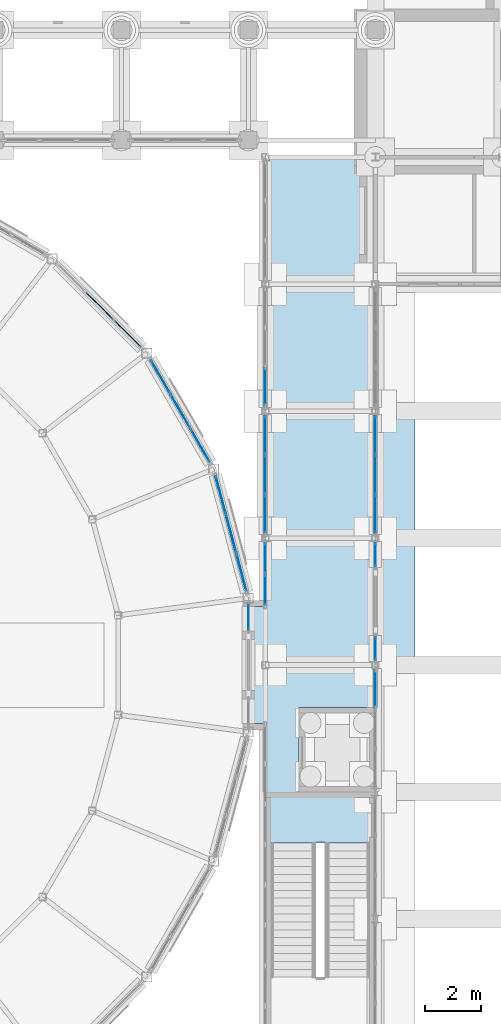
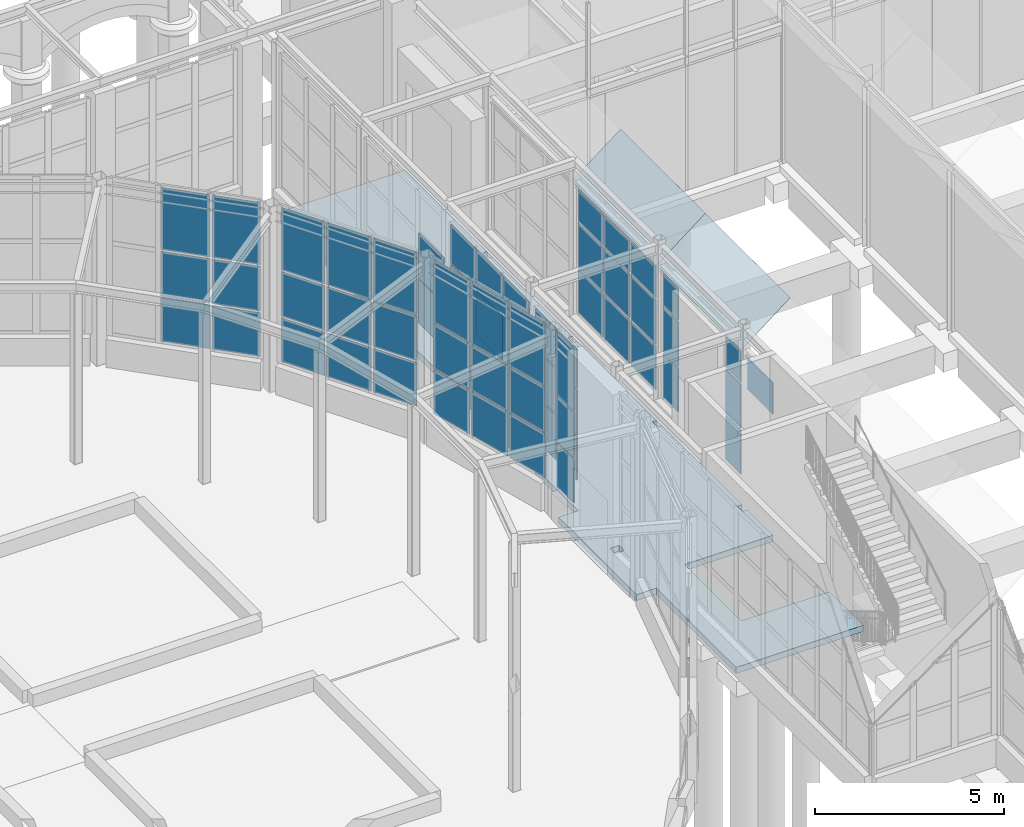
# One storey, part 63 of 106: 62 plates, 1 slab, 11 elements without a shape of their own.
"""IFC4 building model written with IfcOpenShell, lengths in metres."""

from ifc_helpers import new_model, si_unit, direction, frame, origin, origin_2d, place, context, subcontext, project, spatial, polyline, rectangle, outline, extrude, material, layer, layer_set, type_object, element, aggregate, save


model = new_model("IFC4")

# Units and contexts
model_context = context("Model", 3, precision=1e-05, world=origin(), true_north=direction((0.0, 1.0)))
body_context = subcontext(model_context, "Body", "Model", "MODEL_VIEW")
ifc_project = project(units=[si_unit("LENGTHUNIT", "METRE"), si_unit("AREAUNIT", "SQUARE_METRE"), si_unit("VOLUMEUNIT", "CUBIC_METRE"), si_unit("PLANEANGLEUNIT", "RADIAN"), si_unit("MASSUNIT", "GRAM", prefix="KILO")], contexts=[model_context])

# Site, building, storey
site_placement = place(None, origin())
site = spatial("IfcSite", under=ifc_project, at=site_placement, CompositionType="ELEMENT")
building_placement = place(site_placement, origin())
building = spatial("IfcBuilding", under=site, at=building_placement, Name="Hortulan Conservatory and Botanical Research Centre", CompositionType="ELEMENT")
storey_placement = place(building_placement, origin())
storey = spatial("IfcBuildingStorey", under=building, at=storey_placement, Name="L00", CompositionType="ELEMENT", Elevation=0.0)

# Plates
ifc_material_1 = material(Name="Low-e laminated glass", Category="glass")
ifc_layer_1 = layer(ifc_material_1, 0.011962890625)
ifc_layer_set_1 = layer_set([ifc_layer_1], Name="Glasshouse Roof Glazing Panel 12")
plate_type_1 = type_object("IfcPlateType", Name="Glasshouse Roof Glazing Panel 12", PredefinedType="SHEET", material=ifc_layer_set_1)
for number, where, z_axis, x_axis, name in (
    (1, (76.39794921875, 18.0, 5.131103515625), (-0.613967295793, 0.0, 0.789331463769), (0.789331463769, 0.0, 0.613967295793), "Glasshouse roof panel"),
    (2, (76.39794921875, 22.5, 5.131103515625), (-0.613967295793, 0.0, 0.789331463769), (0.789331463769, 0.0, 0.613967295793), "Glasshouse roof panel"),
):
    element("IfcPlate", number, at=place(storey_placement, frame(where, z_axis=z_axis, x_axis=x_axis)), inside=storey, type_object=plate_type_1, Name=name, PredefinedType="SHEET", context=body_context, shape_type="SweptSolid", body=[
        extrude(outline(polyline([(0.0, 0.0), (1.9003423388659808, 0.0), (1.9003423388659808, 4.5), (0.0, 4.5), (0.0, 0.0)])), origin(), (0.0, 0.0, -1.0), 0.011962890625),
    ])

# Slab
ifc_material_2 = material(Name="Concrete N40 (40 MPa, AS 3600)", Category="concrete")
ifc_layer_2 = layer(ifc_material_2, 0.199951171875)
ifc_layer_set_2 = layer_set([ifc_layer_2], Name="Head Link Ground Slab 200")
slab_type = type_object("IfcSlabType", Name="Head Link Ground Slab 200", PredefinedType="BASESLAB", material=ifc_layer_set_2)
slab_placement = place(storey_placement, frame((0.0, 0.0, -0.199951171875)))
element("IfcSlab", 3, at=slab_placement, inside=storey, type_object=slab_type, Name="HE ground slab 1", PredefinedType="BASESLAB", context=body_context, shape_type="SweptSolid", body=[
    extrude(outline(polyline([(72.60009765625, 20.069580078125), (72.60009765625, 22.364990234375), (72.735107421875, 22.364990234375), (72.735107421875, 22.635009765625), (72.60009765625, 22.635009765625), (72.60009765625, 26.864990234375), (72.735107421875, 26.864990234375), (72.735107421875, 27.135009765625), (72.60009765625, 27.135009765625), (72.60009765625, 31.364990234375), (72.735107421875, 31.364990234375), (72.735107421875, 31.635009765625), (72.60009765625, 31.635009765625), (72.60009765625, 35.864990234375), (72.735107421875, 35.864990234375), (72.735107421875, 36.0), (76.5, 36.0), (76.5, 31.635009765625), (76.364990234375, 31.635009765625), (76.364990234375, 31.364990234375), (76.5, 31.364990234375), (76.5, 27.135009765625), (76.364990234375, 27.135009765625), (76.364990234375, 26.864990234375), (76.5, 26.864990234375), (76.5, 22.635009765625), (76.364990234375, 22.635009765625), (76.364990234375, 22.364990234375), (76.5, 22.364990234375), (76.5, 18.135009765625), (76.364990234375, 18.135009765625), (76.364990234375, 17.864990234375), (76.5, 17.864990234375), (76.5, 16.5), (73.800048828125, 16.5), (73.800048828125, 13.5), (76.5, 13.5), (76.5, 11.699951171875), (72.60009765625, 11.699951171875), (72.60009765625, 15.930419921875), (72.0, 15.930419921875), (72.0, 20.069580078125), (72.60009765625, 20.069580078125)]), holes=[polyline([(72.465087890625, 18.135009765625), (72.465087890625, 17.864990234375), (72.735107421875, 17.864990234375), (72.735107421875, 18.135009765625), (72.465087890625, 18.135009765625)])]), origin(), (0.0, 0.0, 1.0), 0.199951171875),
])

# Curtain wall, plates
ifc_material_3 = material(Name="Bronze-finished aluminium", Category="aluminium")
ifc_layer_3 = layer(ifc_material_3, 0.10009765625)
ifc_layer_set_3 = layer_set([ifc_layer_3], Name="Bronze-framed Curtain Wall 1500 module")
curtain_wall_type = type_object("IfcCurtainWallType", Name="Bronze-framed Curtain Wall 1500 module", PredefinedType="NOTDEFINED", material=ifc_layer_set_3)
curtain_wall_1_placement = place(storey_placement, origin())
curtain_wall_1 = element("IfcCurtainWall", 4, at=curtain_wall_1_placement, inside=storey, type_object=curtain_wall_type, Name="Curtain wall", PredefinedType="NOTDEFINED")
ifc_layer_4 = layer(ifc_material_1, 0.028076171875)
ifc_layer_set_4 = layer_set([ifc_layer_4], Name="Laminated Glass Panel 28")
plate_type_2 = type_object("IfcPlateType", Name="Laminated Glass Panel 28", PredefinedType="CURTAIN_PANEL", material=ifc_layer_set_4)
plate_1_placement = place(storey_placement, frame((71.0185546875, 24.032470703125, 0.9599609375), z_axis=(0.0, 0.0, 1.0), x_axis=(0.258831936284, -0.965922372015, 0.0)))
plate_1 = element("IfcPlate", 5, at=plate_1_placement, type_object=plate_type_2, Name="CW1 panel 1.1", PredefinedType="CURTAIN_PANEL", context=body_context, shape_type="SweptSolid", body=[
    extrude(rectangle(XDim=1.346923828125, YDim=0.028076171875, at=origin_2d()), origin(), (0.0, 0.0, 1.0), 1.409912109375),
])
plate_2_placement = place(storey_placement, frame((71.0185546875, 24.032470703125, 2.429931640625), z_axis=(0.0, 0.0, 1.0), x_axis=(0.258831936284, -0.965922372015, 0.0)))
plate_2 = element("IfcPlate", 6, at=plate_2_placement, type_object=plate_type_2, Name="CW1 panel 1.2", PredefinedType="CURTAIN_PANEL", context=body_context, shape_type="SweptSolid", body=[
    extrude(rectangle(XDim=1.346923828125, YDim=0.028076171875, at=origin_2d()), origin(), (0.0, 0.0, 1.0), 1.43994140625),
])
plate_3_placement = place(storey_placement, frame((71.0185546875, 24.032470703125, 3.93017578125), z_axis=(0.0, 0.0, 1.0), x_axis=(0.258831936284, -0.965922372015, 0.0)))
plate_3 = element("IfcPlate", 7, at=plate_3_placement, type_object=plate_type_2, Name="CW1 panel 1.3", PredefinedType="CURTAIN_PANEL", context=body_context, shape_type="SweptSolid", body=[
    extrude(rectangle(XDim=1.346923828125, YDim=0.028076171875, at=origin_2d()), origin(), (0.0, 0.0, 1.0), 2.010009765625),
])
plate_4_placement = place(storey_placement, frame((71.38671875, 22.658935546875, 0.9599609375), z_axis=(0.0, 0.0, 1.0), x_axis=(0.258831936284, -0.965922372015, 0.0)))
plate_4 = element("IfcPlate", 8, at=plate_4_placement, type_object=plate_type_2, Name="CW1 panel 2.1", PredefinedType="CURTAIN_PANEL", context=body_context, shape_type="SweptSolid", body=[
    extrude(rectangle(XDim=1.376953125, YDim=0.028076171875, at=origin_2d()), origin(), (0.0, 0.0, 1.0), 1.409912109375),
])
plate_5_placement = place(storey_placement, frame((71.38671875, 22.658935546875, 2.429931640625), z_axis=(0.0, 0.0, 1.0), x_axis=(0.258831936284, -0.965922372015, 0.0)))
plate_5 = element("IfcPlate", 9, at=plate_5_placement, type_object=plate_type_2, Name="CW1 panel 2.2", PredefinedType="CURTAIN_PANEL", context=body_context, shape_type="SweptSolid", body=[
    extrude(rectangle(XDim=1.376953125, YDim=0.028076171875, at=origin_2d()), origin(), (0.0, 0.0, 1.0), 1.43994140625),
])
plate_6_placement = place(storey_placement, frame((71.38671875, 22.658935546875, 3.93017578125), z_axis=(0.0, 0.0, 1.0), x_axis=(0.258831936284, -0.965922372015, 0.0)))
plate_6 = element("IfcPlate", 10, at=plate_6_placement, type_object=plate_type_2, Name="CW1 panel 2.3", PredefinedType="CURTAIN_PANEL", context=body_context, shape_type="SweptSolid", body=[
    extrude(rectangle(XDim=1.376953125, YDim=0.028076171875, at=origin_2d()), origin(), (0.0, 0.0, 1.0), 2.010009765625),
])
plate_7_placement = place(storey_placement, frame((71.754638671875, 21.285400390625, 0.9599609375), z_axis=(0.0, 0.0, 1.0), x_axis=(0.258831936284, -0.965922372015, 0.0)))
plate_7 = element("IfcPlate", 11, at=plate_7_placement, type_object=plate_type_2, Name="CW1 panel 3.1", PredefinedType="CURTAIN_PANEL", context=body_context, shape_type="SweptSolid", body=[
    extrude(rectangle(XDim=1.346923828125, YDim=0.028076171875, at=origin_2d()), origin(), (0.0, 0.0, 1.0), 1.409912109375),
])
plate_8_placement = place(storey_placement, frame((71.754638671875, 21.285400390625, 2.429931640625), z_axis=(0.0, 0.0, 1.0), x_axis=(0.258831936284, -0.965922372015, 0.0)))
plate_8 = element("IfcPlate", 12, at=plate_8_placement, type_object=plate_type_2, Name="CW1 panel 3.2", PredefinedType="CURTAIN_PANEL", context=body_context, shape_type="SweptSolid", body=[
    extrude(rectangle(XDim=1.346923828125, YDim=0.028076171875, at=origin_2d()), origin(), (0.0, 0.0, 1.0), 1.43994140625),
])
plate_9_placement = place(storey_placement, frame((71.754638671875, 21.285400390625, 3.93017578125), z_axis=(0.0, 0.0, 1.0), x_axis=(0.258831936284, -0.965922372015, 0.0)))
plate_9 = element("IfcPlate", 13, at=plate_9_placement, type_object=plate_type_2, Name="CW1 panel 3.3", PredefinedType="CURTAIN_PANEL", context=body_context, shape_type="SweptSolid", body=[
    extrude(rectangle(XDim=1.346923828125, YDim=0.028076171875, at=origin_2d()), origin(), (0.0, 0.0, 1.0), 2.010009765625),
])
aggregate(curtain_wall_1, [plate_1, plate_2, plate_3, plate_4, plate_5, plate_6, plate_7, plate_8, plate_9])

curtain_wall_2_placement = place(storey_placement, origin())
curtain_wall_2 = element("IfcCurtainWall", 14, at=curtain_wall_2_placement, inside=storey, type_object=curtain_wall_type, Name="Curtain wall", PredefinedType="NOTDEFINED")
plate_10_placement = place(storey_placement, frame((68.885986328125, 28.217041015625, 0.9599609375), z_axis=(0.0, 0.0, 1.0), x_axis=(0.499981160235, -0.866036280655, 0.0)))
plate_10 = element("IfcPlate", 15, at=plate_10_placement, type_object=plate_type_2, Name="CW1 panel 1.1", PredefinedType="CURTAIN_PANEL", context=body_context, shape_type="SweptSolid", body=[
    extrude(rectangle(XDim=1.330078125, YDim=0.028076171875, at=origin_2d()), origin(), (0.0, 0.0, 1.0), 1.409912109375),
])
plate_11_placement = place(storey_placement, frame((68.885986328125, 28.217041015625, 2.429931640625), z_axis=(0.0, 0.0, 1.0), x_axis=(0.499981160235, -0.866036280655, 0.0)))
plate_11 = element("IfcPlate", 16, at=plate_11_placement, type_object=plate_type_2, Name="CW1 panel 1.2", PredefinedType="CURTAIN_PANEL", context=body_context, shape_type="SweptSolid", body=[
    extrude(rectangle(XDim=1.330078125, YDim=0.028076171875, at=origin_2d()), origin(), (0.0, 0.0, 1.0), 1.43994140625),
])
plate_12_placement = place(storey_placement, frame((68.885986328125, 28.217041015625, 3.93017578125), z_axis=(0.0, 0.0, 1.0), x_axis=(0.499981160235, -0.866036280655, 0.0)))
plate_12 = element("IfcPlate", 17, at=plate_12_placement, type_object=plate_type_2, Name="CW1 panel 1.3", PredefinedType="CURTAIN_PANEL", context=body_context, shape_type="SweptSolid", body=[
    extrude(rectangle(XDim=1.330078125, YDim=0.028076171875, at=origin_2d()), origin(), (0.0, 0.0, 1.0), 2.010009765625),
])
plate_13_placement = place(storey_placement, frame((69.58837890625, 27.0, 0.9599609375), z_axis=(0.0, 0.0, 1.0), x_axis=(0.499981160235, -0.866036280655, 0.0)))
plate_13 = element("IfcPlate", 18, at=plate_13_placement, type_object=plate_type_2, Name="CW1 panel 2.1", PredefinedType="CURTAIN_PANEL", context=body_context, shape_type="SweptSolid", body=[
    extrude(rectangle(XDim=1.360107421875, YDim=0.028076171875, at=origin_2d()), origin(), (0.0, 0.0, 1.0), 1.409912109375),
])
plate_14_placement = place(storey_placement, frame((69.58837890625, 27.0, 2.429931640625), z_axis=(0.0, 0.0, 1.0), x_axis=(0.499981160235, -0.866036280655, 0.0)))
plate_14 = element("IfcPlate", 19, at=plate_14_placement, type_object=plate_type_2, Name="CW1 panel 2.2", PredefinedType="CURTAIN_PANEL", context=body_context, shape_type="SweptSolid", body=[
    extrude(rectangle(XDim=1.360107421875, YDim=0.028076171875, at=origin_2d()), origin(), (0.0, 0.0, 1.0), 1.43994140625),
])
plate_15_placement = place(storey_placement, frame((69.58837890625, 27.0, 3.93017578125), z_axis=(0.0, 0.0, 1.0), x_axis=(0.499981160235, -0.866036280655, 0.0)))
plate_15 = element("IfcPlate", 20, at=plate_15_placement, type_object=plate_type_2, Name="CW1 panel 2.3", PredefinedType="CURTAIN_PANEL", context=body_context, shape_type="SweptSolid", body=[
    extrude(rectangle(XDim=1.360107421875, YDim=0.028076171875, at=origin_2d()), origin(), (0.0, 0.0, 1.0), 2.010009765625),
])
plate_16_placement = place(storey_placement, frame((70.291015625, 25.782958984375, 0.9599609375), z_axis=(0.0, 0.0, 1.0), x_axis=(0.499981160235, -0.866036280655, 0.0)))
plate_16 = element("IfcPlate", 21, at=plate_16_placement, type_object=plate_type_2, Name="CW1 panel 3.1", PredefinedType="CURTAIN_PANEL", context=body_context, shape_type="SweptSolid", body=[
    extrude(rectangle(XDim=1.330078125, YDim=0.028076171875, at=origin_2d()), origin(), (0.0, 0.0, 1.0), 1.409912109375),
])
plate_17_placement = place(storey_placement, frame((70.291015625, 25.782958984375, 2.429931640625), z_axis=(0.0, 0.0, 1.0), x_axis=(0.499981160235, -0.866036280655, 0.0)))
plate_17 = element("IfcPlate", 22, at=plate_17_placement, type_object=plate_type_2, Name="CW1 panel 3.2", PredefinedType="CURTAIN_PANEL", context=body_context, shape_type="SweptSolid", body=[
    extrude(rectangle(XDim=1.330078125, YDim=0.028076171875, at=origin_2d()), origin(), (0.0, 0.0, 1.0), 1.43994140625),
])
plate_18_placement = place(storey_placement, frame((70.291015625, 25.782958984375, 3.93017578125), z_axis=(0.0, 0.0, 1.0), x_axis=(0.499981160235, -0.866036280655, 0.0)))
plate_18 = element("IfcPlate", 23, at=plate_18_placement, type_object=plate_type_2, Name="CW1 panel 3.3", PredefinedType="CURTAIN_PANEL", context=body_context, shape_type="SweptSolid", body=[
    extrude(rectangle(XDim=1.330078125, YDim=0.028076171875, at=origin_2d()), origin(), (0.0, 0.0, 1.0), 2.010009765625),
])
aggregate(curtain_wall_2, [plate_10, plate_11, plate_12, plate_13, plate_14, plate_15, plate_16, plate_17, plate_18])

curtain_wall_3_placement = place(storey_placement, origin())
curtain_wall_3 = element("IfcCurtainWall", 24, at=curtain_wall_3_placement, inside=storey, type_object=curtain_wall_type, Name="Curtain wall", PredefinedType="NOTDEFINED")
plate_19_placement = place(storey_placement, frame((66.72802734375, 30.72802734375, 0.9599609375), z_axis=(0.0, 0.0, 1.0), x_axis=(0.707106781187, -0.707106781187, 0.0)))
plate_19 = element("IfcPlate", 25, at=plate_19_placement, type_object=plate_type_2, Name="CW1 panel 2.1", PredefinedType="CURTAIN_PANEL", context=body_context, shape_type="SweptSolid", body=[
    extrude(rectangle(XDim=1.355224609375, YDim=0.028076171875, at=origin_2d()), origin(), (0.0, 0.0, 1.0), 1.409912109375),
])
plate_20_placement = place(storey_placement, frame((66.72802734375, 30.72802734375, 2.429931640625), z_axis=(0.0, 0.0, 1.0), x_axis=(0.707106781187, -0.707106781187, 0.0)))
plate_20 = element("IfcPlate", 26, at=plate_20_placement, type_object=plate_type_2, Name="CW1 panel 2.2", PredefinedType="CURTAIN_PANEL", context=body_context, shape_type="SweptSolid", body=[
    extrude(rectangle(XDim=1.355224609375, YDim=0.028076171875, at=origin_2d()), origin(), (0.0, 0.0, 1.0), 1.43994140625),
])
plate_21_placement = place(storey_placement, frame((66.72802734375, 30.72802734375, 3.93017578125), z_axis=(0.0, 0.0, 1.0), x_axis=(0.707106781187, -0.707106781187, 0.0)))
plate_21 = element("IfcPlate", 27, at=plate_21_placement, type_object=plate_type_2, Name="CW1 panel 2.3", PredefinedType="CURTAIN_PANEL", context=body_context, shape_type="SweptSolid", body=[
    extrude(rectangle(XDim=1.355224609375, YDim=0.028076171875, at=origin_2d()), origin(), (0.0, 0.0, 1.0), 2.010009765625),
])
plate_22_placement = place(storey_placement, frame((67.718017578125, 29.738037109375, 0.9599609375), z_axis=(0.0, 0.0, 1.0), x_axis=(0.707106781187, -0.707106781187, 0.0)))
plate_22 = element("IfcPlate", 28, at=plate_22_placement, type_object=plate_type_2, Name="CW1 panel 3.1", PredefinedType="CURTAIN_PANEL", context=body_context, shape_type="SweptSolid", body=[
    extrude(rectangle(XDim=1.3251953125, YDim=0.028076171875, at=origin_2d()), origin(), (0.0, 0.0, 1.0), 1.409912109375),
])
plate_23_placement = place(storey_placement, frame((67.718017578125, 29.738037109375, 2.429931640625), z_axis=(0.0, 0.0, 1.0), x_axis=(0.707106781187, -0.707106781187, 0.0)))
plate_23 = element("IfcPlate", 29, at=plate_23_placement, type_object=plate_type_2, Name="CW1 panel 3.2", PredefinedType="CURTAIN_PANEL", context=body_context, shape_type="SweptSolid", body=[
    extrude(rectangle(XDim=1.3251953125, YDim=0.028076171875, at=origin_2d()), origin(), (0.0, 0.0, 1.0), 1.43994140625),
])
plate_24_placement = place(storey_placement, frame((67.718017578125, 29.738037109375, 3.93017578125), z_axis=(0.0, 0.0, 1.0), x_axis=(0.707106781187, -0.707106781187, 0.0)))
plate_24 = element("IfcPlate", 30, at=plate_24_placement, type_object=plate_type_2, Name="CW1 panel 3.3", PredefinedType="CURTAIN_PANEL", context=body_context, shape_type="SweptSolid", body=[
    extrude(rectangle(XDim=1.3251953125, YDim=0.028076171875, at=origin_2d()), origin(), (0.0, 0.0, 1.0), 2.010009765625),
])
aggregate(curtain_wall_3, [plate_19, plate_20, plate_21, plate_22, plate_23, plate_24])

curtain_wall_4_placement = place(storey_placement, origin())
curtain_wall_4 = element("IfcCurtainWall", 31, at=curtain_wall_4_placement, inside=storey, type_object=curtain_wall_type, Name="Curtain wall", PredefinedType="NOTDEFINED")
plate_25_placement = place(storey_placement, frame((72.0, 19.697509765625, 0.9599609375), z_axis=(0.0, 0.0, 1.0), x_axis=(0.0, -1.0, 0.0)))
plate_25 = element("IfcPlate", 32, at=plate_25_placement, type_object=plate_type_2, Name="CW1 panel 1.1", PredefinedType="CURTAIN_PANEL", context=body_context, shape_type="SweptSolid", body=[
    extrude(rectangle(XDim=0.875, YDim=0.028076171875, at=origin_2d()), origin(), (0.0, 0.0, 1.0), 1.409912109375),
])
plate_26_placement = place(storey_placement, frame((72.0, 19.697509765625, 2.429931640625), z_axis=(0.0, 0.0, 1.0), x_axis=(0.0, -1.0, 0.0)))
plate_26 = element("IfcPlate", 33, at=plate_26_placement, type_object=plate_type_2, Name="CW1 panel 1.2", PredefinedType="CURTAIN_PANEL", context=body_context, shape_type="SweptSolid", body=[
    extrude(rectangle(XDim=0.875, YDim=0.028076171875, at=origin_2d()), origin(), (0.0, 0.0, 1.0), 1.43994140625),
])
plate_27_placement = place(storey_placement, frame((72.0, 19.697509765625, 3.93017578125), z_axis=(0.0, 0.0, 1.0), x_axis=(0.0, -1.0, 0.0)))
plate_27 = element("IfcPlate", 34, at=plate_27_placement, type_object=plate_type_2, Name="CW1 panel 1.3", PredefinedType="CURTAIN_PANEL", context=body_context, shape_type="SweptSolid", body=[
    extrude(rectangle(XDim=0.875, YDim=0.028076171875, at=origin_2d()), origin(), (0.0, 0.0, 1.0), 2.010009765625),
])
aggregate(curtain_wall_4, [plate_25, plate_26, plate_27])

curtain_wall_5_placement = place(storey_placement, origin())
curtain_wall_5 = element("IfcCurtainWall", 35, at=curtain_wall_5_placement, inside=storey, type_object=curtain_wall_type, Name="Curtain wall", PredefinedType="NOTDEFINED")
plate_28_placement = place(storey_placement, frame((72.60009765625, 20.6611328125, 0.9599609375), z_axis=(0.0, 0.0, 1.0), x_axis=(0.0, 1.0, 0.0)))
plate_28 = element("IfcPlate", 36, at=plate_28_placement, type_object=plate_type_2, Name="CW1 panel 1.1", PredefinedType="CURTAIN_PANEL", context=body_context, shape_type="SweptSolid", body=[
    extrude(rectangle(XDim=1.062744140625, YDim=0.028076171875, at=origin_2d()), origin(), (0.0, 0.0, 1.0), 1.409912109375),
])
plate_29_placement = place(storey_placement, frame((72.60009765625, 20.6611328125, 2.429931640625), z_axis=(0.0, 0.0, 1.0), x_axis=(0.0, 1.0, 0.0)))
plate_29 = element("IfcPlate", 37, at=plate_29_placement, type_object=plate_type_2, Name="CW1 panel 1.2", PredefinedType="CURTAIN_PANEL", context=body_context, shape_type="SweptSolid", body=[
    extrude(rectangle(XDim=1.062744140625, YDim=0.028076171875, at=origin_2d()), origin(), (0.0, 0.0, 1.0), 1.43994140625),
])
plate_30_placement = place(storey_placement, frame((72.60009765625, 20.6611328125, 3.929931640625), z_axis=(0.0, 0.0, 1.0), x_axis=(0.0, 1.0, 0.0)))
plate_30 = element("IfcPlate", 38, at=plate_30_placement, type_object=plate_type_2, Name="CW1 panel 1.3", PredefinedType="CURTAIN_PANEL", context=body_context, shape_type="SweptSolid", body=[
    extrude(rectangle(XDim=1.062744140625, YDim=0.028076171875, at=origin_2d()), origin(), (0.0, 0.0, 1.0), 1.25),
])
plate_31_placement = place(storey_placement, frame((72.60009765625, 21.78369140625, 0.9599609375), z_axis=(0.0, 0.0, 1.0), x_axis=(0.0, 1.0, 0.0)))
plate_31 = element("IfcPlate", 39, at=plate_31_placement, type_object=plate_type_2, Name="CW1 panel 2.1", PredefinedType="CURTAIN_PANEL", context=body_context, shape_type="SweptSolid", body=[
    extrude(rectangle(XDim=1.062744140625, YDim=0.028076171875, at=origin_2d()), origin(), (0.0, 0.0, 1.0), 1.409912109375),
])
plate_32_placement = place(storey_placement, frame((72.60009765625, 21.78369140625, 2.429931640625), z_axis=(0.0, 0.0, 1.0), x_axis=(0.0, 1.0, 0.0)))
plate_32 = element("IfcPlate", 40, at=plate_32_placement, type_object=plate_type_2, Name="CW1 panel 2.2", PredefinedType="CURTAIN_PANEL", context=body_context, shape_type="SweptSolid", body=[
    extrude(rectangle(XDim=1.062744140625, YDim=0.028076171875, at=origin_2d()), origin(), (0.0, 0.0, 1.0), 1.43994140625),
])
plate_33_placement = place(storey_placement, frame((72.60009765625, 21.78369140625, 3.929931640625), z_axis=(0.0, 0.0, 1.0), x_axis=(0.0, 1.0, 0.0)))
plate_33 = element("IfcPlate", 41, at=plate_33_placement, type_object=plate_type_2, Name="CW1 panel 2.3", PredefinedType="CURTAIN_PANEL", context=body_context, shape_type="SweptSolid", body=[
    extrude(rectangle(XDim=1.062744140625, YDim=0.028076171875, at=origin_2d()), origin(), (0.0, 0.0, 1.0), 1.25),
])
aggregate(curtain_wall_5, [plate_28, plate_29, plate_30, plate_31, plate_32, plate_33])

curtain_wall_6_placement = place(storey_placement, origin())
curtain_wall_6 = element("IfcCurtainWall", 42, at=curtain_wall_6_placement, inside=storey, type_object=curtain_wall_type, Name="Curtain wall", PredefinedType="NOTDEFINED")
plate_34_placement = place(storey_placement, frame((72.60009765625, 23.348388671875, 0.9599609375), z_axis=(0.0, 0.0, 1.0), x_axis=(0.0, 1.0, 0.0)))
plate_34 = element("IfcPlate", 43, at=plate_34_placement, type_object=plate_type_2, Name="CW1 panel 1.1", PredefinedType="CURTAIN_PANEL", context=body_context, shape_type="SweptSolid", body=[
    extrude(rectangle(XDim=1.32666015625, YDim=0.028076171875, at=origin_2d()), origin(), (0.0, 0.0, 1.0), 1.409912109375),
])
plate_35_placement = place(storey_placement, frame((72.60009765625, 23.348388671875, 2.429931640625), z_axis=(0.0, 0.0, 1.0), x_axis=(0.0, 1.0, 0.0)))
plate_35 = element("IfcPlate", 44, at=plate_35_placement, type_object=plate_type_2, Name="CW1 panel 1.2", PredefinedType="CURTAIN_PANEL", context=body_context, shape_type="SweptSolid", body=[
    extrude(rectangle(XDim=1.32666015625, YDim=0.028076171875, at=origin_2d()), origin(), (0.0, 0.0, 1.0), 1.43994140625),
])
plate_36_placement = place(storey_placement, frame((72.60009765625, 23.348388671875, 3.929931640625), z_axis=(0.0, 0.0, 1.0), x_axis=(0.0, 1.0, 0.0)))
plate_36 = element("IfcPlate", 45, at=plate_36_placement, type_object=plate_type_2, Name="CW1 panel 1.3", PredefinedType="CURTAIN_PANEL", context=body_context, shape_type="SweptSolid", body=[
    extrude(rectangle(XDim=1.32666015625, YDim=0.028076171875, at=origin_2d()), origin(), (0.0, 0.0, 1.0), 1.25),
])
plate_37_placement = place(storey_placement, frame((72.60009765625, 24.75, 0.9599609375), z_axis=(0.0, 0.0, 1.0), x_axis=(0.0, 1.0, 0.0)))
plate_37 = element("IfcPlate", 46, at=plate_37_placement, type_object=plate_type_2, Name="CW1 panel 2.1", PredefinedType="CURTAIN_PANEL", context=body_context, shape_type="SweptSolid", body=[
    extrude(rectangle(XDim=1.356689453125, YDim=0.028076171875, at=origin_2d()), origin(), (0.0, 0.0, 1.0), 1.409912109375),
])
plate_38_placement = place(storey_placement, frame((72.60009765625, 24.75, 2.429931640625), z_axis=(0.0, 0.0, 1.0), x_axis=(0.0, 1.0, 0.0)))
plate_38 = element("IfcPlate", 47, at=plate_38_placement, type_object=plate_type_2, Name="CW1 panel 2.2", PredefinedType="CURTAIN_PANEL", context=body_context, shape_type="SweptSolid", body=[
    extrude(rectangle(XDim=1.356689453125, YDim=0.028076171875, at=origin_2d()), origin(), (0.0, 0.0, 1.0), 1.43994140625),
])
plate_39_placement = place(storey_placement, frame((72.60009765625, 24.75, 3.929931640625), z_axis=(0.0, 0.0, 1.0), x_axis=(0.0, 1.0, 0.0)))
plate_39 = element("IfcPlate", 48, at=plate_39_placement, type_object=plate_type_2, Name="CW1 panel 2.3", PredefinedType="CURTAIN_PANEL", context=body_context, shape_type="SweptSolid", body=[
    extrude(rectangle(XDim=1.356689453125, YDim=0.028076171875, at=origin_2d()), origin(), (0.0, 0.0, 1.0), 1.25),
])
plate_40_placement = place(storey_placement, frame((72.60009765625, 26.151611328125, 0.9599609375), z_axis=(0.0, 0.0, 1.0), x_axis=(0.0, 1.0, 0.0)))
plate_40 = element("IfcPlate", 49, at=plate_40_placement, type_object=plate_type_2, Name="CW1 panel 3.1", PredefinedType="CURTAIN_PANEL", context=body_context, shape_type="SweptSolid", body=[
    extrude(rectangle(XDim=1.32666015625, YDim=0.028076171875, at=origin_2d()), origin(), (0.0, 0.0, 1.0), 1.409912109375),
])
plate_41_placement = place(storey_placement, frame((72.60009765625, 26.151611328125, 2.429931640625), z_axis=(0.0, 0.0, 1.0), x_axis=(0.0, 1.0, 0.0)))
plate_41 = element("IfcPlate", 50, at=plate_41_placement, type_object=plate_type_2, Name="CW1 panel 3.2", PredefinedType="CURTAIN_PANEL", context=body_context, shape_type="SweptSolid", body=[
    extrude(rectangle(XDim=1.32666015625, YDim=0.028076171875, at=origin_2d()), origin(), (0.0, 0.0, 1.0), 1.43994140625),
])
plate_42_placement = place(storey_placement, frame((72.60009765625, 26.151611328125, 3.929931640625), z_axis=(0.0, 0.0, 1.0), x_axis=(0.0, 1.0, 0.0)))
plate_42 = element("IfcPlate", 51, at=plate_42_placement, type_object=plate_type_2, Name="CW1 panel 3.3", PredefinedType="CURTAIN_PANEL", context=body_context, shape_type="SweptSolid", body=[
    extrude(rectangle(XDim=1.32666015625, YDim=0.028076171875, at=origin_2d()), origin(), (0.0, 0.0, 1.0), 1.25),
])
aggregate(curtain_wall_6, [plate_34, plate_35, plate_36, plate_37, plate_38, plate_39, plate_40, plate_41, plate_42])

curtain_wall_7_placement = place(storey_placement, origin())
curtain_wall_7 = element("IfcCurtainWall", 52, at=curtain_wall_7_placement, inside=storey, type_object=curtain_wall_type, Name="Curtain wall", PredefinedType="NOTDEFINED")
plate_43_placement = place(storey_placement, frame((72.60009765625, 27.848388671875, 0.9599609375), z_axis=(0.0, 0.0, 1.0), x_axis=(0.0, 1.0, 0.0)))
plate_43 = element("IfcPlate", 53, at=plate_43_placement, type_object=plate_type_2, Name="CW1 panel 1.1", PredefinedType="CURTAIN_PANEL", context=body_context, shape_type="SweptSolid", body=[
    extrude(rectangle(XDim=1.32666015625, YDim=0.028076171875, at=origin_2d()), origin(), (0.0, 0.0, 1.0), 1.409912109375),
])
plate_44_placement = place(storey_placement, frame((72.60009765625, 27.848388671875, 2.429931640625), z_axis=(0.0, 0.0, 1.0), x_axis=(0.0, 1.0, 0.0)))
plate_44 = element("IfcPlate", 54, at=plate_44_placement, type_object=plate_type_2, Name="CW1 panel 1.2", PredefinedType="CURTAIN_PANEL", context=body_context, shape_type="SweptSolid", body=[
    extrude(rectangle(XDim=1.32666015625, YDim=0.028076171875, at=origin_2d()), origin(), (0.0, 0.0, 1.0), 1.43994140625),
])
aggregate(curtain_wall_7, [plate_43, plate_44])

curtain_wall_8_placement = place(storey_placement, origin())
curtain_wall_8 = element("IfcCurtainWall", 55, at=curtain_wall_8_placement, inside=storey, type_object=curtain_wall_type, Name="Curtain wall", PredefinedType="NOTDEFINED")
plate_45_placement = place(storey_placement, frame((76.5, 26.151611328125, 0.9599609375), z_axis=(0.0, 0.0, 1.0), x_axis=(0.0, -1.0, 0.0)))
plate_45 = element("IfcPlate", 56, at=plate_45_placement, type_object=plate_type_2, Name="CW1 panel 1.1", PredefinedType="CURTAIN_PANEL", context=body_context, shape_type="SweptSolid", body=[
    extrude(rectangle(XDim=1.32666015625, YDim=0.028076171875, at=origin_2d()), origin(), (0.0, 0.0, 1.0), 1.409912109375),
])
plate_46_placement = place(storey_placement, frame((76.5, 26.151611328125, 2.429931640625), z_axis=(0.0, 0.0, 1.0), x_axis=(0.0, -1.0, 0.0)))
plate_46 = element("IfcPlate", 57, at=plate_46_placement, type_object=plate_type_2, Name="CW1 panel 1.2", PredefinedType="CURTAIN_PANEL", context=body_context, shape_type="SweptSolid", body=[
    extrude(rectangle(XDim=1.32666015625, YDim=0.028076171875, at=origin_2d()), origin(), (0.0, 0.0, 1.0), 1.43994140625),
])
plate_47_placement = place(storey_placement, frame((76.5, 26.151611328125, 3.93017578125), z_axis=(0.0, 0.0, 1.0), x_axis=(0.0, -1.0, 0.0)))
plate_47 = element("IfcPlate", 58, at=plate_47_placement, type_object=plate_type_2, Name="CW1 panel 1.3", PredefinedType="CURTAIN_PANEL", context=body_context, shape_type="SweptSolid", body=[
    extrude(rectangle(XDim=1.32666015625, YDim=0.028076171875, at=origin_2d()), origin(), (0.0, 0.0, 1.0), 1.010009765625),
])
plate_48_placement = place(storey_placement, frame((76.5, 24.75, 0.9599609375), z_axis=(0.0, 0.0, 1.0), x_axis=(0.0, -1.0, 0.0)))
plate_48 = element("IfcPlate", 59, at=plate_48_placement, type_object=plate_type_2, Name="CW1 panel 2.1", PredefinedType="CURTAIN_PANEL", context=body_context, shape_type="SweptSolid", body=[
    extrude(rectangle(XDim=1.356689453125, YDim=0.028076171875, at=origin_2d()), origin(), (0.0, 0.0, 1.0), 1.409912109375),
])
plate_49_placement = place(storey_placement, frame((76.5, 24.75, 2.429931640625), z_axis=(0.0, 0.0, 1.0), x_axis=(0.0, -1.0, 0.0)))
plate_49 = element("IfcPlate", 60, at=plate_49_placement, type_object=plate_type_2, Name="CW1 panel 2.2", PredefinedType="CURTAIN_PANEL", context=body_context, shape_type="SweptSolid", body=[
    extrude(rectangle(XDim=1.356689453125, YDim=0.028076171875, at=origin_2d()), origin(), (0.0, 0.0, 1.0), 1.43994140625),
])
plate_50_placement = place(storey_placement, frame((76.5, 24.75, 3.93017578125), z_axis=(0.0, 0.0, 1.0), x_axis=(0.0, -1.0, 0.0)))
plate_50 = element("IfcPlate", 61, at=plate_50_placement, type_object=plate_type_2, Name="CW1 panel 2.3", PredefinedType="CURTAIN_PANEL", context=body_context, shape_type="SweptSolid", body=[
    extrude(rectangle(XDim=1.356689453125, YDim=0.028076171875, at=origin_2d()), origin(), (0.0, 0.0, 1.0), 1.010009765625),
])
plate_51_placement = place(storey_placement, frame((76.5, 23.348388671875, 0.9599609375), z_axis=(0.0, 0.0, 1.0), x_axis=(0.0, -1.0, 0.0)))
plate_51 = element("IfcPlate", 62, at=plate_51_placement, type_object=plate_type_2, Name="CW1 panel 3.1", PredefinedType="CURTAIN_PANEL", context=body_context, shape_type="SweptSolid", body=[
    extrude(rectangle(XDim=1.32666015625, YDim=0.028076171875, at=origin_2d()), origin(), (0.0, 0.0, 1.0), 1.409912109375),
])
plate_52_placement = place(storey_placement, frame((76.5, 23.348388671875, 2.429931640625), z_axis=(0.0, 0.0, 1.0), x_axis=(0.0, -1.0, 0.0)))
plate_52 = element("IfcPlate", 63, at=plate_52_placement, type_object=plate_type_2, Name="CW1 panel 3.2", PredefinedType="CURTAIN_PANEL", context=body_context, shape_type="SweptSolid", body=[
    extrude(rectangle(XDim=1.32666015625, YDim=0.028076171875, at=origin_2d()), origin(), (0.0, 0.0, 1.0), 1.43994140625),
])
plate_53_placement = place(storey_placement, frame((76.5, 23.348388671875, 3.93017578125), z_axis=(0.0, 0.0, 1.0), x_axis=(0.0, -1.0, 0.0)))
plate_53 = element("IfcPlate", 64, at=plate_53_placement, type_object=plate_type_2, Name="CW1 panel 3.3", PredefinedType="CURTAIN_PANEL", context=body_context, shape_type="SweptSolid", body=[
    extrude(rectangle(XDim=1.32666015625, YDim=0.028076171875, at=origin_2d()), origin(), (0.0, 0.0, 1.0), 1.010009765625),
])
aggregate(curtain_wall_8, [plate_45, plate_46, plate_47, plate_48, plate_49, plate_50, plate_51, plate_52, plate_53])

curtain_wall_9_placement = place(storey_placement, origin())
curtain_wall_9 = element("IfcCurtainWall", 65, at=curtain_wall_9_placement, inside=storey, type_object=curtain_wall_type, Name="Curtain wall", PredefinedType="NOTDEFINED")
plate_54_placement = place(storey_placement, frame((76.5, 21.91259765625, 0.9599609375), z_axis=(0.0, 0.0, 1.0), x_axis=(0.0, -1.0, 0.0)))
plate_54 = element("IfcPlate", 66, at=plate_54_placement, type_object=plate_type_2, Name="CW1 panel 1.1", PredefinedType="CURTAIN_PANEL", context=body_context, shape_type="SweptSolid", body=[
    extrude(rectangle(XDim=0.804931640625, YDim=0.028076171875, at=origin_2d()), origin(), (0.0, 0.0, 1.0), 1.409912109375),
])
plate_55_placement = place(storey_placement, frame((76.5, 21.91259765625, 2.429931640625), z_axis=(0.0, 0.0, 1.0), x_axis=(0.0, -1.0, 0.0)))
plate_55 = element("IfcPlate", 67, at=plate_55_placement, type_object=plate_type_2, Name="CW1 panel 1.2", PredefinedType="CURTAIN_PANEL", context=body_context, shape_type="SweptSolid", body=[
    extrude(rectangle(XDim=0.804931640625, YDim=0.028076171875, at=origin_2d()), origin(), (0.0, 0.0, 1.0), 1.43994140625),
])
plate_56_placement = place(storey_placement, frame((76.5, 21.91259765625, 3.93017578125), z_axis=(0.0, 0.0, 1.0), x_axis=(0.0, -1.0, 0.0)))
plate_56 = element("IfcPlate", 68, at=plate_56_placement, type_object=plate_type_2, Name="CW1 panel 1.3", PredefinedType="CURTAIN_PANEL", context=body_context, shape_type="SweptSolid", body=[
    extrude(rectangle(XDim=0.804931640625, YDim=0.028076171875, at=origin_2d()), origin(), (0.0, 0.0, 1.0), 1.010009765625),
])
aggregate(curtain_wall_9, [plate_54, plate_55, plate_56])

curtain_wall_10_placement = place(storey_placement, origin())
curtain_wall_10 = element("IfcCurtainWall", 69, at=curtain_wall_10_placement, inside=storey, type_object=curtain_wall_type, Name="Curtain wall", PredefinedType="NOTDEFINED")
plate_57_placement = place(storey_placement, frame((76.5, 18.58740234375, 0.9599609375), z_axis=(0.0, 0.0, 1.0), x_axis=(0.0, -1.0, 0.0)))
plate_57 = element("IfcPlate", 70, at=plate_57_placement, type_object=plate_type_2, Name="CW1 panel 1.1", PredefinedType="CURTAIN_PANEL", context=body_context, shape_type="SweptSolid", body=[
    extrude(rectangle(XDim=0.804931640625, YDim=0.028076171875, at=origin_2d()), origin(), (0.0, 0.0, 1.0), 1.409912109375),
])
plate_58_placement = place(storey_placement, frame((76.5, 18.58740234375, 2.429931640625), z_axis=(0.0, 0.0, 1.0), x_axis=(0.0, -1.0, 0.0)))
plate_58 = element("IfcPlate", 71, at=plate_58_placement, type_object=plate_type_2, Name="CW1 panel 1.2", PredefinedType="CURTAIN_PANEL", context=body_context, shape_type="SweptSolid", body=[
    extrude(rectangle(XDim=0.804931640625, YDim=0.028076171875, at=origin_2d()), origin(), (0.0, 0.0, 1.0), 1.43994140625),
])
plate_59_placement = place(storey_placement, frame((76.5, 18.58740234375, 3.93017578125), z_axis=(0.0, 0.0, 1.0), x_axis=(0.0, -1.0, 0.0)))
plate_59 = element("IfcPlate", 72, at=plate_59_placement, type_object=plate_type_2, Name="CW1 panel 1.3", PredefinedType="CURTAIN_PANEL", context=body_context, shape_type="SweptSolid", body=[
    extrude(rectangle(XDim=0.804931640625, YDim=0.028076171875, at=origin_2d()), origin(), (0.0, 0.0, 1.0), 1.010009765625),
])
aggregate(curtain_wall_10, [plate_57, plate_58, plate_59])

# Curtain wall, plate
curtain_wall_11_placement = place(storey_placement, origin())
curtain_wall_11 = element("IfcCurtainWall", 73, at=curtain_wall_11_placement, inside=storey, type_object=curtain_wall_type, Name="Curtain wall", PredefinedType="NOTDEFINED")
plate_60_placement = place(storey_placement, frame((76.5, 17.152099609375, 3.93017578125), z_axis=(0.0, 0.0, 1.0), x_axis=(0.0, -1.0, 0.0)))
plate_60 = element("IfcPlate", 74, at=plate_60_placement, type_object=plate_type_2, Name="CW1 panel 1.3", PredefinedType="CURTAIN_PANEL", context=body_context, shape_type="SweptSolid", body=[
    extrude(rectangle(XDim=1.325927734375, YDim=0.028076171875, at=origin_2d()), origin(), (0.0, 0.0, 1.0), 1.010009765625),
])
aggregate(curtain_wall_11, [plate_60])

save(model, "model.ifc")
